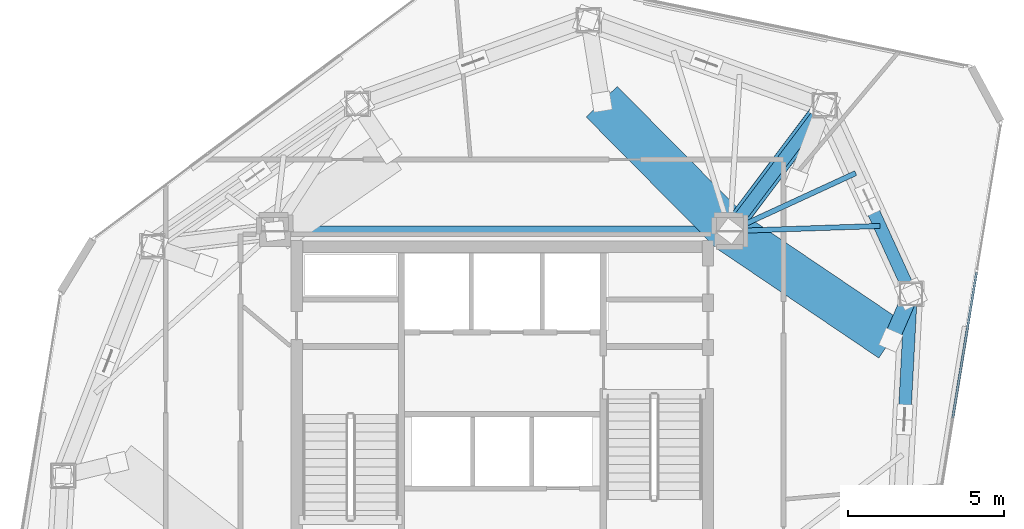
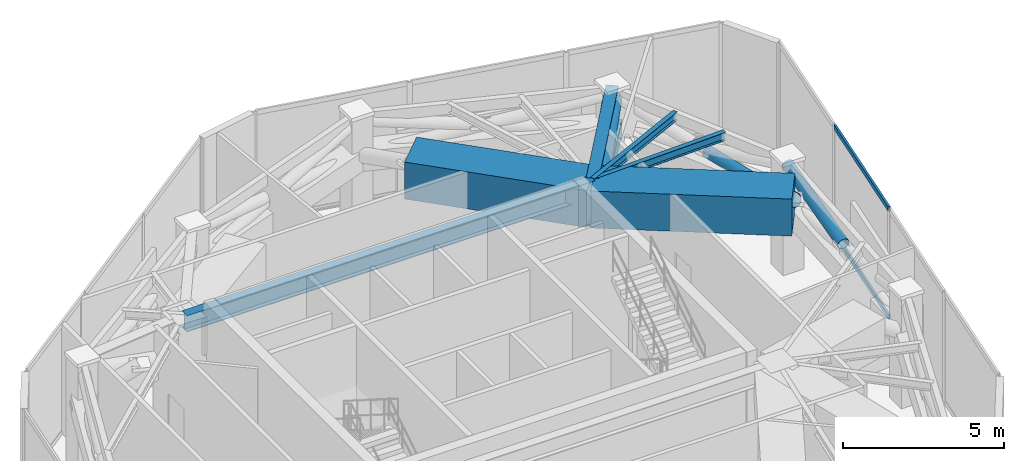
# One storey, part 10 of 19: 7 members, 6 beams, 1 element without a shape of its own.
"""IFC4 building model written with IfcOpenShell, lengths in metres."""

from ifc_helpers import new_model, si_unit, direction, frame, origin, origin_2d, place, context, subcontext, project, spatial, rectangle, hollow_rectangle, hollow_circle, i_section, extrude, source, transform, mapped, material, layer, layer_set, material_profile, profile_set, type_object, type_shapes, element, aggregate, save


model = new_model("IFC4")

# Units and contexts
model_context = context("Model", 3, precision=1e-05, world=origin(), true_north=direction((0.0, 1.0)))
body_context = subcontext(model_context, "Body", "Model", "MODEL_VIEW")
ifc_project = project(units=[si_unit("LENGTHUNIT", "METRE"), si_unit("AREAUNIT", "SQUARE_METRE"), si_unit("VOLUMEUNIT", "CUBIC_METRE"), si_unit("PLANEANGLEUNIT", "RADIAN"), si_unit("MASSUNIT", "GRAM", prefix="KILO")], contexts=[model_context])

# Site, building, storey
site_placement = place(None, origin())
site = spatial("IfcSite", under=ifc_project, at=site_placement, CompositionType="ELEMENT")
building_placement = place(site_placement, origin())
building = spatial("IfcBuilding", under=site, at=building_placement, Name="Talar Marvaseh", CompositionType="ELEMENT")
storey_placement = place(building_placement, frame((0.0, 0.0, 236.199951171875)))
storey = spatial("IfcBuildingStorey", under=building, at=storey_placement, Name="L62", CompositionType="ELEMENT", Elevation=236.199951171875)

# Beams
ifc_material_1 = material(Name="Steel S460", Category="steel")
ifc_material_profile_1 = material_profile(ifc_material_1, i_section(OverallWidth=0.39990234375, OverallDepth=1.02099609375, WebThickness=0.02294921875, FlangeThickness=0.0390625, at=origin_2d()), Name="W1000x412")
ifc_profile_set_1 = profile_set([ifc_material_profile_1], Name="Steel S460")
beam_type_1 = type_object("IfcBeamType", Name="Heavy Outrigger Tie Girder W1000x412", PredefinedType="BEAM", material=ifc_profile_set_1)
beam_1_placement = place(storey_placement, frame((33.300048828125, 36.89990234375, 3.6396484375), z_axis=(0.601204044541, 0.799095549247, 0.0), x_axis=(-0.799095549247, 0.601204044541, 0.0)))
element("IfcBeam", 1, at=beam_1_placement, inside=storey, type_object=beam_type_1, Name="L62 Heavy Outrigger Tie Girder W1000x412", PredefinedType="BEAM", context=body_context, shape_type="SweptSolid", body=[
    extrude(i_section(OverallWidth=0.39990234375, OverallDepth=1.02099609375, WebThickness=0.02294921875, FlangeThickness=0.0390625, at=origin_2d()), origin(), (0.0, 0.0, 1.0), 5.05810546875),
])
ifc_material_2 = material(Name="Concrete C70/85", Category="concrete")
ifc_material_profile_2 = material_profile(ifc_material_2, rectangle(XDim=1.39990234375, YDim=1.39990234375, at=origin_2d()), Name="RC1400x1400")
ifc_profile_set_2 = profile_set([ifc_material_profile_2], Name="Concrete C70/85")
beam_type_2 = type_object("IfcBeamType", Name="Setback Deep Concrete Transfer Girder RC1400x1400", PredefinedType="BEAM", material=ifc_profile_set_2)
beam_2_placement = place(storey_placement, frame((29.18798828125, 41.052001953125, 3.449951171875), z_axis=(0.703672658083, -0.710524306598, 0.0), x_axis=(0.710524306598, 0.703672658083, 0.0)))
element("IfcBeam", 2, at=beam_2_placement, inside=storey, type_object=beam_type_2, Name="L62 Setback Backspan Transfer Girder 5", PredefinedType="BEAM", context=body_context, shape_type="SweptSolid", body=[
    extrude(rectangle(XDim=1.39990234375, YDim=1.39990234375, at=origin_2d()), origin(), (0.0, 0.0, 1.0), 5.84375),
])
beam_3_placement = place(storey_placement, frame((38.470947265625, 33.406005859375, 3.449951171875), z_axis=(-0.828585535277, 0.559862492698, 0.0), x_axis=(-0.559862492698, -0.828585535277, 0.0)))
element("IfcBeam", 3, at=beam_3_placement, inside=storey, type_object=beam_type_2, Name="L62 Setback Backspan Transfer Girder 7", PredefinedType="BEAM", context=body_context, shape_type="SweptSolid", body=[
    extrude(rectangle(XDim=1.39990234375, YDim=1.39990234375, at=origin_2d()), origin(), (0.0, 0.0, 1.0), 6.24072265625),
])
ifc_material_3 = material(Name="Steel S355", Category="steel")
ifc_material_profile_3 = material_profile(ifc_material_3, i_section(OverallWidth=0.324951171875, OverallDepth=0.615966796875, WebThickness=0.013916015625, FlangeThickness=0.021484375, at=origin_2d()), Name="W610x174")
ifc_profile_set_3 = profile_set([ifc_material_profile_3], Name="Steel S355")
beam_type_3 = type_object("IfcBeamType", Name="Zone 3 Radial Floor Girder W610x174", PredefinedType="BEAM", material=ifc_profile_set_3)
beam_4_placement = place(storey_placement, frame((18.699951171875, 36.89990234375, 3.842041015625), z_axis=(1.0, 0.0, 0.0), x_axis=(0.0, 1.0, 0.0)))
element("IfcBeam", 4, at=beam_4_placement, inside=storey, type_object=beam_type_3, Name="L62 Zone 3 Radial Floor Girder W610x174", PredefinedType="BEAM", context=body_context, shape_type="SweptSolid", body=[
    extrude(i_section(OverallWidth=0.324951171875, OverallDepth=0.615966796875, WebThickness=0.013916015625, FlangeThickness=0.021484375, at=origin_2d()), origin(), (0.0, 0.0, 1.0), 14.60009765625),
])
ifc_material_profile_4 = material_profile(ifc_material_3, i_section(OverallWidth=0.166015625, OverallDepth=0.31298828125, WebThickness=0.006591796875, FlangeThickness=0.01123046875, at=origin_2d()), Name="W310x45")
ifc_profile_set_4 = profile_set([ifc_material_profile_4], Name="Steel S355")
beam_type_4 = type_object("IfcBeamType", Name="Zone 3 Secondary Floor Joist W310x45", PredefinedType="JOIST", material=ifc_profile_set_4)
beam_5_placement = place(storey_placement, frame((37.3388671875, 38.760986328125, 3.99365234375), z_axis=(-0.908214702737, -0.418504544458, 0.0), x_axis=(0.418504544458, -0.908214702737, 0.0)))
element("IfcBeam", 5, at=beam_5_placement, inside=storey, type_object=beam_type_4, Name="L62 Zone 3 Secondary Floor Joist W310x45", PredefinedType="JOIST", context=body_context, shape_type="SweptSolid", body=[
    extrude(i_section(OverallWidth=0.166015625, OverallDepth=0.31298828125, WebThickness=0.006591796875, FlangeThickness=0.01123046875, at=origin_2d()), origin(), (0.0, 0.0, 1.0), 4.447021484375),
])
beam_6_placement = place(storey_placement, frame((38.114990234375, 37.06494140625, 3.99365234375), z_axis=(-0.999413079861, -0.034256325017, 0.0), x_axis=(0.034256325017, -0.999413079861, 0.0)))
element("IfcBeam", 6, at=beam_6_placement, inside=storey, type_object=beam_type_4, Name="L62 Zone 3 Secondary Floor Joist W310x45", PredefinedType="JOIST", context=body_context, shape_type="SweptSolid", body=[
    extrude(i_section(OverallWidth=0.166015625, OverallDepth=0.31298828125, WebThickness=0.006591796875, FlangeThickness=0.01123046875, at=origin_2d()), origin(), (0.0, 0.0, 1.0), 4.81787109375),
])

# Members
ifc_material_profile_5 = material_profile(ifc_material_1, hollow_rectangle(XDim=0.60009765625, YDim=0.60009765625, WallThickness=0.031982421875, at=origin_2d()), Name="BOX600x600x32")
ifc_profile_set_5 = profile_set([ifc_material_profile_5], Name="Steel S460")
member_type_1 = type_object("IfcMemberType", Name="Outrigger Chord Member BOX600x600x32", PredefinedType="CHORD", material=ifc_profile_set_5)
shared_shape_1 = source(origin(), body_context, "Body", "SweptSolid", [
    extrude(hollow_rectangle(XDim=0.60009765625, YDim=0.60009765625, WallThickness=0.031982421875, at=origin_2d()), origin(), (0.0, 0.0, 1.0), 5.05810546875),
])
type_shapes(member_type_1, [shared_shape_1])
member_1_placement = place(storey_placement, frame((33.300048828125, 36.89990234375, 2.60009765625), z_axis=(0.601204044541, 0.799095549247, 0.0), x_axis=(-0.799095549247, 0.601204044541, 0.0)))
element("IfcMember", 7, at=member_1_placement, inside=storey, type_object=member_type_1, Name="L62 Outrigger Upper Tie Chord 2", PredefinedType="CHORD", context=body_context, shape_type="MappedRepresentation", body=[
    mapped(shared_shape_1, transform((0.0, 0.0, 0.0), x_axis=(1.0, 0.0, 0.0), y_axis=(0.0, 1.0, 0.0), z_axis=(0.0, 0.0, 1.0), scale=1.0)),
])
ifc_material_profile_6 = material_profile(ifc_material_1, hollow_circle(Radius=0.304931640625, WallThickness=0.02490234375, at=origin_2d()), Name="CHS610x25")
ifc_profile_set_6 = profile_set([ifc_material_profile_6], Name="Steel S460")
member_type_2 = type_object("IfcMemberType", Name="Outrigger Diagonal Brace CHS610x25", PredefinedType="BRACE", material=ifc_profile_set_6)
shared_shape_2 = source(origin(), body_context, "Body", "SweptSolid", [
    extrude(hollow_circle(Radius=0.304931640625, WallThickness=0.02490234375, at=origin_2d()), origin(), (0.0, 0.0, 1.0), 5.166015625),
])
type_shapes(member_type_2, [shared_shape_2])
member_2_placement = place(storey_placement, frame((33.300048828125, 36.89990234375, 2.60009765625), z_axis=(0.588653852899, 0.782414353613, 0.203259491114), x_axis=(-0.799095549247, 0.601204044541, 0.0)))
element("IfcMember", 8, at=member_2_placement, inside=storey, type_object=member_type_2, Name="L62 Outrigger Diagonal Brace 2", PredefinedType="BRACE", context=body_context, shape_type="MappedRepresentation", body=[
    mapped(shared_shape_2, transform((0.0, 0.0, 0.0), x_axis=(1.0, 0.0, 0.0), y_axis=(0.0, 1.0, 0.0), z_axis=(0.0, 0.0, 1.0), scale=1.0)),
])
ifc_material_profile_7 = material_profile(ifc_material_1, hollow_circle(Radius=0.25390625, WallThickness=0.02001953125, at=origin_2d()), Name="CHS508x20")
ifc_profile_set_7 = profile_set([ifc_material_profile_7], Name="Steel S460")
member_type_3 = type_object("IfcMemberType", Name="Crown Frame Diagonal Brace CHS508x20", PredefinedType="BRACE", material=ifc_profile_set_7)
shared_shape_3 = source(origin(), body_context, "Body", "SweptSolid", [
    extrude(hollow_circle(Radius=0.25390625, WallThickness=0.02001953125, at=origin_2d()), origin(), (0.0, 0.0, 1.0), 1.951171875),
])
type_shapes(member_type_3, [shared_shape_3])
member_3_placement = place(storey_placement, frame((39.113037109375, 34.884033203125, 2.550048828125), z_axis=(-0.329079625209, -0.757508764645, 0.563814749503), x_axis=(0.917190444915, -0.398449103093, 0.0)))
element("IfcMember", 9, at=member_3_placement, inside=storey, type_object=member_type_3, Name="L62 Setback Transfer Raked Strut 7", PredefinedType="BRACE", context=body_context, shape_type="MappedRepresentation", body=[
    mapped(shared_shape_3, transform((0.0, 0.0, 0.0), x_axis=(1.0, 0.0, 0.0), y_axis=(0.0, 1.0, 0.0), z_axis=(0.0, 0.0, 1.0), scale=1.0)),
])
ifc_material_profile_8 = material_profile(ifc_material_1, hollow_circle(Radius=0.203125, WallThickness=0.01611328125, at=origin_2d()), Name="CHS406x16")
ifc_profile_set_8 = profile_set([ifc_material_profile_8], Name="Steel S460")
member_type_4 = type_object("IfcMemberType", Name="Belt Truss Diagonal Brace CHS406x16", PredefinedType="BRACE", material=ifc_profile_set_8)
shared_shape_4 = source(origin(), body_context, "Body", "SweptSolid", [
    extrude(hollow_circle(Radius=0.203125, WallThickness=0.01611328125, at=origin_2d()), origin(), (0.0, 0.0, 1.0), 3.158935546875),
])
member_4_placement = place(storey_placement, frame((39.113037109375, 34.884033203125, 2.5), z_axis=(-0.407774934158, 0.891215459775, 0.198631838663), x_axis=(-0.90933470198, -0.416065379208, 0.0)))
element("IfcMember", 10, at=member_4_placement, inside=storey, type_object=member_type_4, Name="L62 Belt Truss Split Diagonal Lower 2", PredefinedType="BRACE", context=body_context, shape_type="MappedRepresentation", body=[
    mapped(shared_shape_4, transform((0.0, 0.0, 0.0), x_axis=(1.0, 0.0, 0.0), y_axis=(0.0, 1.0, 0.0), z_axis=(0.0, 0.0, 1.0), scale=1.0)),
])
shared_shape_5 = source(origin(), body_context, "Body", "SweptSolid", [
    extrude(hollow_circle(Radius=0.203125, WallThickness=0.01611328125, at=origin_2d()), origin(), (0.0, 0.0, 1.0), 3.851806640625),
])
type_shapes(member_type_4, [shared_shape_4, shared_shape_5])
member_5_placement = place(storey_placement, frame((38.913330078125, 31.09033203125, 3.214599609375), z_axis=(0.051848508966, 0.984931516907, 0.164989815207), x_axis=(-0.998617296697, 0.05256895223, 0.0)))
element("IfcMember", 11, at=member_5_placement, inside=storey, type_object=member_type_4, Name="L62 Belt Truss Split Diagonal Upper 3", PredefinedType="BRACE", context=body_context, shape_type="MappedRepresentation", body=[
    mapped(shared_shape_5, transform((0.0, 0.0, 0.0), x_axis=(1.0, 0.0, 0.0), y_axis=(0.0, 1.0, 0.0), z_axis=(0.0, 0.0, 1.0), scale=1.0)),
])

# Curtain wall, members
ifc_material_4 = material(Name="Architectural Aluminium", Category="aluminium")
ifc_layer = layer(ifc_material_4, 0.18994140625)
ifc_layer_set = layer_set([ifc_layer], Name="Architectural Aluminium")
curtain_wall_type = type_object("IfcCurtainWallType", Name="Unitised Solar Atelier Curtain Wall Z3", PredefinedType="NOTDEFINED", material=ifc_layer_set)
curtain_wall_placement = place(storey_placement, origin())
curtain_wall = element("IfcCurtainWall", 12, at=curtain_wall_placement, inside=storey, type_object=curtain_wall_type, Name="L62 Unitised Solar Atelier Curtain Wall Z3", PredefinedType="NOTDEFINED")
ifc_material_profile_9 = material_profile(ifc_material_4, hollow_rectangle(XDim=0.074951171875, YDim=0.179931640625, WallThickness=0.0048828125, at=origin_2d()), Name="RHS180x75x5")
ifc_profile_set_9 = profile_set([ifc_material_profile_9], Name="Architectural Aluminium")
member_type_5 = type_object("IfcMemberType", Name="Unitised Curtain Wall Transom RHS180x75x5", PredefinedType="USERDEFINED", material=ifc_profile_set_9)
shared_shape_6 = source(origin(), body_context, "Body", "SweptSolid", [
    extrude(hollow_rectangle(XDim=0.074951171875, YDim=0.179931640625, WallThickness=0.0048828125, at=origin_2d()), origin(), (0.0, 0.0, 1.0), 4.7470703125),
])
type_shapes(member_type_5, [shared_shape_6])
member_6_placement = place(storey_placement, frame((41.216796875, 35.58837890625, 0.03759765625), z_axis=(-0.160870178654, -0.986975574986, 0.0), x_axis=(0.986975574986, -0.160870178654, 0.0)))
member_6 = element("IfcMember", 13, at=member_6_placement, type_object=member_type_5, Name="CW-Z3 transom 2.1", ObjectType="TRANSOM", PredefinedType="USERDEFINED", context=body_context, shape_type="MappedRepresentation", body=[
    mapped(shared_shape_6, transform((0.0, 0.0, 0.0), x_axis=(1.0, 0.0, 0.0), y_axis=(0.0, 1.0, 0.0), z_axis=(0.0, 0.0, 1.0), scale=1.0)),
])
member_7_placement = place(storey_placement, frame((41.216796875, 35.58837890625, 4.112548828125), z_axis=(-0.160870178654, -0.986975574986, 0.0), x_axis=(0.986975574986, -0.160870178654, 0.0)))
member_7 = element("IfcMember", 14, at=member_7_placement, type_object=member_type_5, Name="CW-Z3 transom 2.2", ObjectType="TRANSOM", PredefinedType="USERDEFINED", context=body_context, shape_type="MappedRepresentation", body=[
    mapped(shared_shape_6, transform((0.0, 0.0, 0.0), x_axis=(1.0, 0.0, 0.0), y_axis=(0.0, 1.0, 0.0), z_axis=(0.0, 0.0, 1.0), scale=1.0)),
])
aggregate(curtain_wall, [member_6, member_7])

save(model, "model.ifc")
